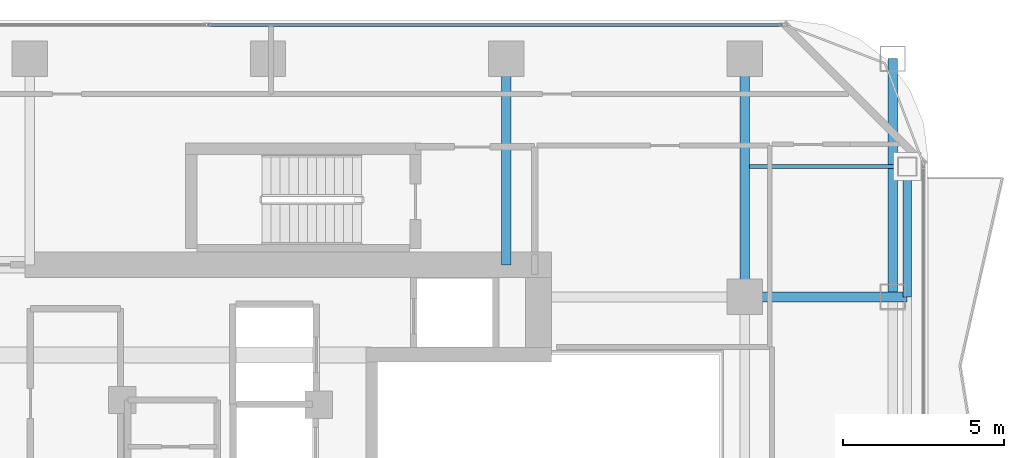
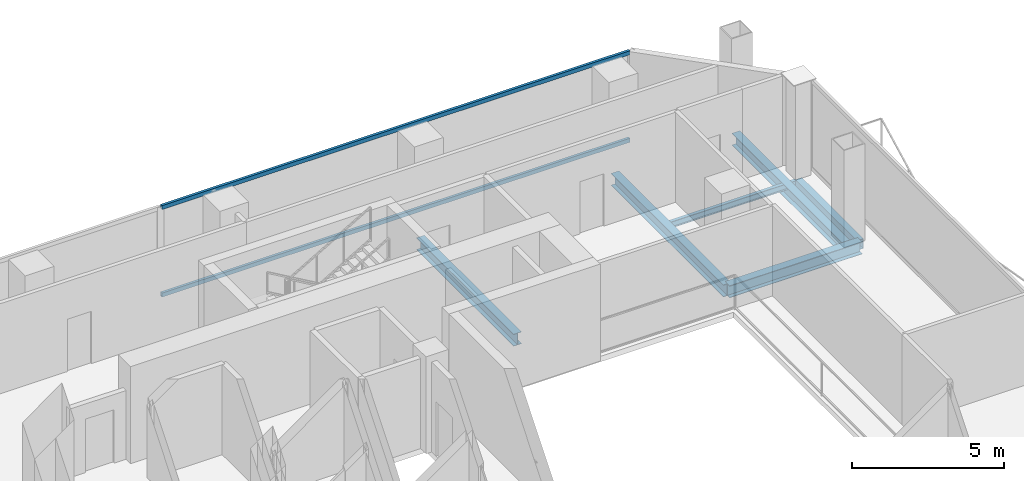
# One storey, part 14 of 24: 6 beams, 2 members, 1 element without a shape of its own.
"""IFC4 building model written with IfcOpenShell, lengths in metres."""

from ifc_helpers import new_model, si_unit, direction, frame, origin, origin_2d, place, context, subcontext, project, spatial, hollow_rectangle, i_section, extrude, material, layer, layer_set, material_profile, profile_set, type_object, element, aggregate, save


model = new_model("IFC4")

# Units and contexts
model_context = context("Model", 3, precision=1e-05, world=origin(), true_north=direction((0.0, 1.0)))
body_context = subcontext(model_context, "Body", "Model", "MODEL_VIEW")
ifc_project = project(units=[si_unit("LENGTHUNIT", "METRE"), si_unit("AREAUNIT", "SQUARE_METRE"), si_unit("VOLUMEUNIT", "CUBIC_METRE"), si_unit("PLANEANGLEUNIT", "RADIAN"), si_unit("MASSUNIT", "GRAM", prefix="KILO")], contexts=[model_context])

# Site, building, storey
site_placement = place(None, origin())
site = spatial("IfcSite", under=ifc_project, at=site_placement, CompositionType="ELEMENT")
building_placement = place(site_placement, origin())
building = spatial("IfcBuilding", under=site, at=building_placement, Name="Khorvyn Point Tower", CompositionType="ELEMENT")
storey_placement = place(building_placement, frame((0.0, 0.0, 215.699951171875)))
storey = spatial("IfcBuildingStorey", under=building, at=storey_placement, Name="L53", CompositionType="ELEMENT", Elevation=215.699951171875)

# Curtain wall, members
ifc_material_1 = material(Name="Anodised aluminium 6063-T6 and laminated Low-E glass", Category="aluminium")
ifc_layer = layer(ifc_material_1, 0.18994140625)
ifc_layer_set = layer_set([ifc_layer], Name="Stick-Built Acoustic Curtain Wall CW-SYS-03")
curtain_wall_type = type_object("IfcCurtainWallType", Name="Stick-Built Acoustic Curtain Wall CW-SYS-03", PredefinedType="NOTDEFINED", material=ifc_layer_set)
curtain_wall_placement = place(storey_placement, origin())
curtain_wall = element("IfcCurtainWall", 1, at=curtain_wall_placement, inside=storey, type_object=curtain_wall_type, Name="Curtain Wall", PredefinedType="NOTDEFINED")
ifc_material_2 = material(Name="Anodised aluminium 6063-T6", Category="aluminium")
ifc_material_profile_1 = material_profile(ifc_material_2, hollow_rectangle(XDim=0.10009765625, YDim=0.159912109375, WallThickness=0.00439453125, at=origin_2d()))
ifc_profile_set_1 = profile_set([ifc_material_profile_1], Name="Anodised aluminium 6063-T6 ALU-TRN-100x160")
member_type = type_object("IfcMemberType", Name="Anodised Aluminium 6063-T6 Transom ALU-TRN-100x160", PredefinedType="USERDEFINED", material=ifc_profile_set_1)
member_1_placement = place(storey_placement, frame((-1.85009765625, 15.85009765625, 0.050048828125), z_axis=(1.0, 0.0, 0.0), x_axis=(0.0, 1.0, 0.0)))
member_1 = element("IfcMember", 2, at=member_1_placement, type_object=member_type, Name="Transom", ObjectType="TRANSOM", PredefinedType="USERDEFINED", context=body_context, shape_type="SweptSolid", body=[
    extrude(hollow_rectangle(XDim=0.10009765625, YDim=0.159912109375, WallThickness=0.00439453125, at=origin_2d()), origin(), (0.0, 0.0, 1.0), 17.800048828125),
])
member_2_placement = place(storey_placement, frame((-1.85009765625, 15.85009765625, 3.570068359375), z_axis=(1.0, 0.0, 0.0), x_axis=(0.0, 1.0, 0.0)))
member_2 = element("IfcMember", 3, at=member_2_placement, type_object=member_type, Name="Transom", ObjectType="TRANSOM", PredefinedType="USERDEFINED", context=body_context, shape_type="SweptSolid", body=[
    extrude(hollow_rectangle(XDim=0.10009765625, YDim=0.159912109375, WallThickness=0.00439453125, at=origin_2d()), origin(), (0.0, 0.0, 1.0), 17.800048828125),
])
aggregate(curtain_wall, [member_1, member_2])

# Beams
ifc_material_3 = material(Name="Steel S355", Category="steel")
ifc_material_profile_2 = material_profile(ifc_material_3, i_section(OverallWidth=0.125, OverallDepth=0.25, WebThickness=0.006103515625, FlangeThickness=0.009033203125, at=origin_2d()))
ifc_profile_set_2 = profile_set([ifc_material_profile_2], Name="Steel S355 H250x125x6x9")
beam_type_1 = type_object("IfcBeamType", Name="Steel S355 Joist H250x125x6x9", PredefinedType="JOIST", material=ifc_profile_set_2)
beam_1_placement = place(storey_placement, frame((14.949951171875, 11.449951171875, -0.344970703125), z_axis=(1.0, 0.0, 0.0), x_axis=(0.0, 1.0, 0.0)))
element("IfcBeam", 4, at=beam_1_placement, inside=storey, type_object=beam_type_1, Name="Beam", PredefinedType="JOIST", context=body_context, shape_type="SweptSolid", body=[
    extrude(i_section(OverallWidth=0.125, OverallDepth=0.25, WebThickness=0.006103515625, FlangeThickness=0.009033203125, at=origin_2d()), origin(), (0.0, 0.0, 1.0), 4.775146484375),
])
ifc_material_profile_3 = material_profile(ifc_material_3, i_section(OverallWidth=0.300048828125, OverallDepth=0.488037109375, WebThickness=0.010986328125, FlangeThickness=0.01806640625, at=origin_2d()))
ifc_profile_set_3 = profile_set([ifc_material_profile_3], Name="Steel S355 H488x300x11x18")
beam_type_2 = type_object("IfcBeamType", Name="Steel S355 Spandrel H488x300x11x18", PredefinedType="SPANDREL", material=ifc_profile_set_3)
beam_2_placement = place(storey_placement, frame((14.800048828125, 7.39990234375, -0.4638671875), z_axis=(1.0, 0.0, 0.0), x_axis=(0.0, 1.0, 0.0)))
element("IfcBeam", 5, at=beam_2_placement, inside=storey, type_object=beam_type_2, Name="Beam", PredefinedType="SPANDREL", context=body_context, shape_type="SweptSolid", body=[
    extrude(i_section(OverallWidth=0.300048828125, OverallDepth=0.488037109375, WebThickness=0.010986328125, FlangeThickness=0.01806640625, at=origin_2d()), origin(), (0.0, 0.0, 1.0), 5.050048828125),
])
beam_3_placement = place(storey_placement, frame((14.800048828125, 7.39990234375, -0.4638671875), z_axis=(0.0, 1.0, 0.0), x_axis=(-1.0, 0.0, 0.0)))
element("IfcBeam", 6, at=beam_3_placement, inside=storey, type_object=beam_type_2, Name="Beam", PredefinedType="SPANDREL", context=body_context, shape_type="SweptSolid", body=[
    extrude(i_section(OverallWidth=0.300048828125, OverallDepth=0.488037109375, WebThickness=0.010986328125, FlangeThickness=0.01806640625, at=origin_2d()), origin(), (0.0, 0.0, 1.0), 7.400146484375),
])
beam_4_placement = place(storey_placement, frame((7.39990234375, 8.39990234375, -0.4638671875), z_axis=(0.0, 1.0, 0.0), x_axis=(-1.0, 0.0, 0.0)))
element("IfcBeam", 7, at=beam_4_placement, inside=storey, type_object=beam_type_2, Name="Beam", PredefinedType="SPANDREL", context=body_context, shape_type="SweptSolid", body=[
    extrude(i_section(OverallWidth=0.300048828125, OverallDepth=0.488037109375, WebThickness=0.010986328125, FlangeThickness=0.01806640625, at=origin_2d()), origin(), (0.0, 0.0, 1.0), 6.400146484375),
])
beam_5_placement = place(storey_placement, frame((19.39990234375, 7.39990234375, -0.4638671875), z_axis=(0.0, 1.0, 0.0), x_axis=(-1.0, 0.0, 0.0)))
element("IfcBeam", 8, at=beam_5_placement, inside=storey, type_object=beam_type_2, Name="Beam", PredefinedType="SPANDREL", context=body_context, shape_type="SweptSolid", body=[
    extrude(i_section(OverallWidth=0.300048828125, OverallDepth=0.488037109375, WebThickness=0.010986328125, FlangeThickness=0.01806640625, at=origin_2d()), origin(), (0.0, 0.0, 1.0), 7.400146484375),
])
ifc_material_profile_4 = material_profile(ifc_material_3, hollow_rectangle(XDim=0.25, YDim=0.39990234375, WallThickness=0.01611328125, at=origin_2d()))
ifc_profile_set_4 = profile_set([ifc_material_profile_4], Name="Steel S355 RHS400x250x16")
beam_type_3 = type_object("IfcBeamType", Name="Steel S355 Spandrel RHS400x250x16", PredefinedType="SPANDREL", material=ifc_profile_set_4)
beam_6_placement = place(storey_placement, frame((19.85009765625, 7.39990234375, -0.419921875), z_axis=(0.0, 1.0, 0.0), x_axis=(-1.0, 0.0, 0.0)))
element("IfcBeam", 9, at=beam_6_placement, inside=storey, type_object=beam_type_3, Name="Beam", PredefinedType="SPANDREL", context=body_context, shape_type="SweptSolid", body=[
    extrude(hollow_rectangle(XDim=0.25, YDim=0.39990234375, WallThickness=0.01611328125, at=origin_2d()), origin(), (0.0, 0.0, 1.0), 4.050048828125),
])

save(model, "model.ifc")
